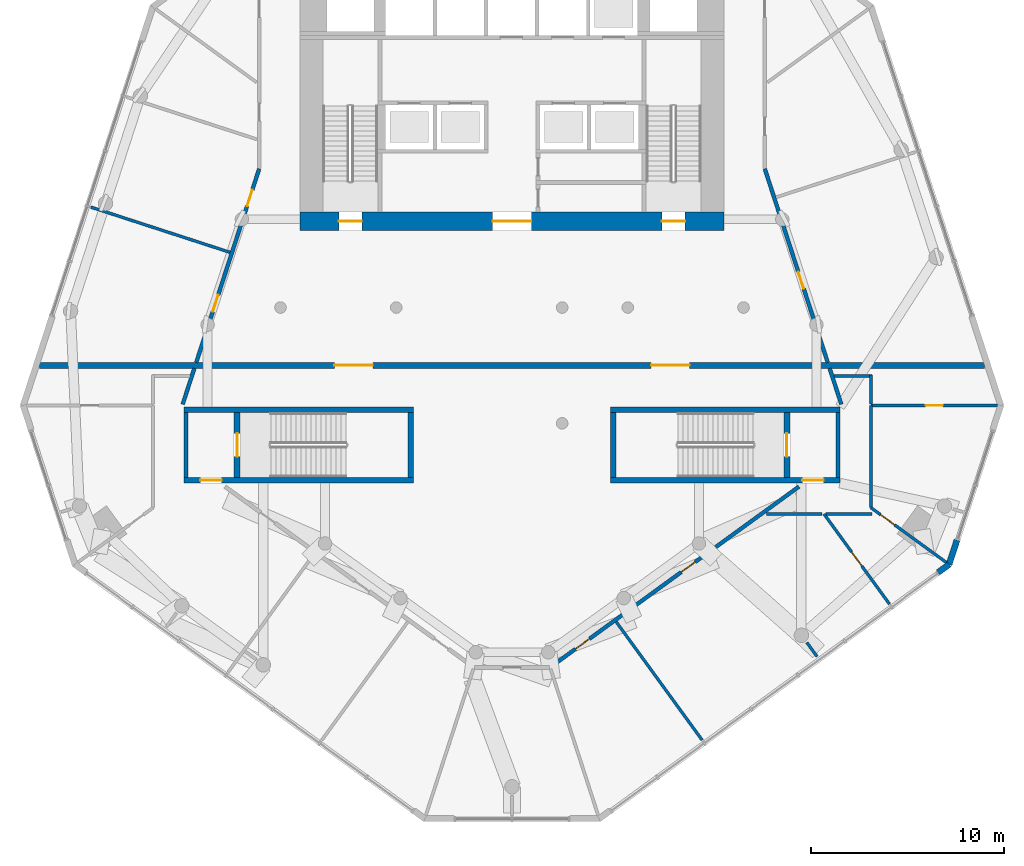
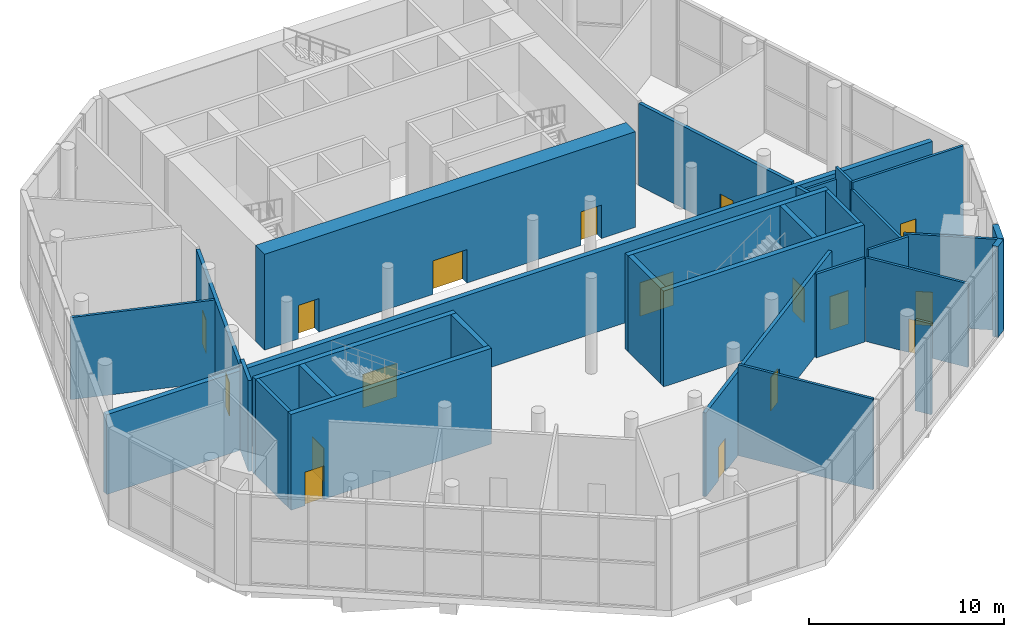
# One storey, part 8 of 14: 30 walls, 17 doors, 17 openings.
"""IFC4 building model written with IfcOpenShell, lengths in metres."""

from ifc_helpers import new_model, si_unit, direction, frame, frame_2d, origin, place, context, subcontext, project, spatial, rectangle, extrude, material, layer, layer_set, type_object, element, fill, save


model = new_model("IFC4")

# Units and contexts
model_context = context("Model", 3, precision=1e-05, world=origin(), true_north=direction((0.0, 1.0)))
body_context = subcontext(model_context, "Body", "Model", "MODEL_VIEW")
ifc_project = project(units=[si_unit("LENGTHUNIT", "METRE"), si_unit("AREAUNIT", "SQUARE_METRE"), si_unit("VOLUMEUNIT", "CUBIC_METRE"), si_unit("PLANEANGLEUNIT", "RADIAN"), si_unit("MASSUNIT", "GRAM", prefix="KILO")], contexts=[model_context])

# Site, building, storey
site_placement = place(None, origin())
site = spatial("IfcSite", under=ifc_project, at=site_placement, CompositionType="ELEMENT")
building_placement = place(site_placement, origin())
building = spatial("IfcBuilding", under=site, at=building_placement, Name="White Candle Pilgrim Tower", CompositionType="ELEMENT")
storey_placement = place(building_placement, frame((0.0, 0.0, 142.60009765625)))
storey = spatial("IfcBuildingStorey", under=building, at=storey_placement, Name="L32", CompositionType="ELEMENT", Elevation=142.60009765625)

# Walls
ifc_material_1 = material(Name="Concrete C60/75", Category="concrete")
ifc_layer_1 = layer(ifc_material_1, 0.199951171875)
ifc_layer_set_1 = layer_set([ifc_layer_1], Name="Core wall 200 mm Concrete C60/75")
wall_type_1 = type_object("IfcWallType", Name="Core wall 200 mm Concrete C60/75", PredefinedType="SHEAR", material=ifc_layer_set_1)
for number, where, z_axis, x_axis, name in (
    (1, (53.10009765625, 58.199951171875, 0.0), (0.0, 0.0, 1.0), (0.0, 1.0, 0.0), "WL-L32-C03"),
    (2, (86.89990234375, 58.199951171875, 0.0), (0.0, 0.0, 1.0), (0.0, 1.0, 0.0), "WL-L32-C08"),
):
    element("IfcWall", number, at=place(storey_placement, frame(where, z_axis=z_axis, x_axis=x_axis)), inside=storey, type_object=wall_type_1, Name=name, PredefinedType="SHEAR", context=body_context, shape_type="SweptSolid", body=[
        extrude(rectangle(XDim=3.35009765625, YDim=0.199951171875, at=frame_2d((1.675048828125, 0.0))), origin(), (0.0, 0.0, 1.0), 6.0),
    ])

# Wall, opening, door
ifc_material_2 = material(Name="Gypsum board on steel studs", Category="steel")
ifc_layer_2 = layer(ifc_material_2, 0.199951171875)
ifc_layer_set_2 = layer_set([ifc_layer_2], Name="Corridor wall 200 mm EI 45")
wall_type_2 = type_object("IfcWallType", Name="Corridor wall 200 mm EI 45", PredefinedType="PARTITIONING", material=ifc_layer_set_2)
wall_1_placement = place(storey_placement, frame((83.10498046875, 74.187255859375, 0.0), z_axis=(0.0, 0.0, 1.0), x_axis=(0.309008133723, -0.95105939525, 0.0)))
wall_1 = element("IfcWall", 3, at=wall_1_placement, inside=storey, type_object=wall_type_2, Name="WL-L32-P004", PredefinedType="PARTITIONING", context=body_context, shape_type="SweptSolid", body=[
    extrude(rectangle(XDim=10.553955078125, YDim=0.199951171875, at=frame_2d((5.27685546875, 0.0))), origin(), (0.0, 0.0, 1.0), 5.14990234375),
])
opening_1_placement = place(wall_1_placement, frame((5.61767578125, 0.0, 0.0)))
opening_1 = element("IfcOpeningElement", 4, at=opening_1_placement, cuts=wall_1, Name="Opening L32-111", PredefinedType="OPENING", context=body_context, shape_type="SweptSolid", body=[
    extrude(rectangle(XDim=0.89990234375, YDim=2.10009765625, at=frame_2d((0.449951171875, 1.050048828125))), frame((0.0, 0.10986328125, 0.0), z_axis=(0.0, -1.0, 0.0), x_axis=(1.0, 0.0, 0.0)), (0.0, 0.0, 1.0), 0.219970703125),
])
ifc_material_3 = material(Name="Steel door leaf", Category="steel")
door_type_1 = type_object("IfcDoorType", Name="Fire door 900 x 2100 EI 30", OperationType="NOTDEFINED", PredefinedType="DOOR", material=ifc_material_3)
door_1_placement = place(opening_1_placement, origin())
door_1 = element("IfcDoor", 5, at=door_1_placement, inside=storey, type_object=door_type_1, Name="Door L32-111", OperationType="SINGLE_SWING_LEFT", OverallHeight=2.10009765625, OverallWidth=0.89990234375, PredefinedType="DOOR", context=body_context, shape_type="SweptSolid", body=[
    extrude(rectangle(XDim=0.89990234375, YDim=2.10009765625, at=frame_2d((0.449951171875, 1.050048828125))), frame((0.0, 0.02490234375, 0.0), z_axis=(0.0, -1.0, 0.0), x_axis=(1.0, 0.0, 0.0)), (0.0, 0.0, 1.0), 0.050048828125),
])
fill(opening_1, door_1)

# Wall
wall_2_placement = place(storey_placement, frame((86.463623046875, 63.85009765625, 0.0), z_axis=(0.0, 0.0, 1.0), x_axis=(0.308951238916, -0.951077879026, 0.0)))
element("IfcWall", 6, at=wall_2_placement, inside=storey, type_object=wall_type_2, Name="WL-L32-P005", PredefinedType="PARTITIONING", context=body_context, shape_type="SweptSolid", body=[
    extrude(rectangle(XDim=1.96533203125, YDim=0.199951171875, at=frame_2d((0.982666015625, 0.0))), origin(), (0.0, 0.0, 1.0), 5.0),
])

# Wall, openings, doors
wall_3_placement = place(storey_placement, frame((84.87451171875, 57.718994140625, 0.0), z_axis=(0.0, 0.0, 1.0), x_axis=(-0.80902196565, -0.587778409858, 0.0)))
wall_3 = element("IfcWall", 7, at=wall_3_placement, inside=storey, type_object=wall_type_2, Name="WL-L32-P006", PredefinedType="PARTITIONING", context=body_context, shape_type="SweptSolid", body=[
    extrude(rectangle(XDim=15.911376953125, YDim=0.199951171875, at=frame_2d((7.95556640625, 0.0))), origin(), (0.0, 0.0, 1.0), 5.25),
])
opening_2_placement = place(wall_3_placement, frame((13.414306640625, 0.0, 0.0)))
opening_2 = element("IfcOpeningElement", 8, at=opening_2_placement, cuts=wall_3, Name="Opening L32-109", PredefinedType="OPENING", context=body_context, shape_type="SweptSolid", body=[
    extrude(rectangle(XDim=0.89990234375, YDim=2.10009765625, at=frame_2d((0.449951171875, 1.050048828125))), frame((0.0, 0.10986328125, 0.0), z_axis=(0.0, -1.0, 0.0), x_axis=(1.0, 0.0, 0.0)), (0.0, 0.0, 1.0), 0.219970703125),
])
opening_3_placement = place(wall_3_placement, frame((6.6494140625, 0.0, 0.0)))
opening_3 = element("IfcOpeningElement", 9, at=opening_3_placement, cuts=wall_3, Name="Opening L32-110", PredefinedType="OPENING", context=body_context, shape_type="SweptSolid", body=[
    extrude(rectangle(XDim=0.89990234375, YDim=2.10009765625, at=frame_2d((0.449951171875, 1.050048828125))), frame((0.0, 0.10986328125, 0.0), z_axis=(0.0, -1.0, 0.0), x_axis=(1.0, 0.0, 0.0)), (0.0, 0.0, 1.0), 0.219970703125),
])
door_2_placement = place(opening_2_placement, origin())
door_2 = element("IfcDoor", 10, at=door_2_placement, inside=storey, type_object=door_type_1, Name="Door L32-109", OperationType="SINGLE_SWING_LEFT", OverallHeight=2.10009765625, OverallWidth=0.89990234375, PredefinedType="DOOR", context=body_context, shape_type="SweptSolid", body=[
    extrude(rectangle(XDim=0.89990234375, YDim=2.10009765625, at=frame_2d((0.449951171875, 1.050048828125))), frame((0.0, 0.02490234375, 0.0), z_axis=(0.0, -1.0, 0.0), x_axis=(1.0, 0.0, 0.0)), (0.0, 0.0, 1.0), 0.050048828125),
])
fill(opening_2, door_2)
door_3_placement = place(opening_3_placement, origin())
door_3 = element("IfcDoor", 11, at=door_3_placement, inside=storey, type_object=door_type_1, Name="Door L32-110", OperationType="SINGLE_SWING_RIGHT", OverallHeight=2.10009765625, OverallWidth=0.89990234375, PredefinedType="DOOR", context=body_context, shape_type="SweptSolid", body=[
    extrude(rectangle(XDim=0.89990234375, YDim=2.10009765625, at=frame_2d((0.449951171875, 1.050048828125))), frame((0.0, 0.02490234375, 0.0), z_axis=(0.0, -1.0, 0.0), x_axis=(1.0, 0.0, 0.0)), (0.0, 0.0, 1.0), 0.050048828125),
])
fill(opening_3, door_3)

# Wall
wall_4_placement = place(storey_placement, frame((52.92919921875, 61.98095703125, 0.0), z_axis=(0.0, 0.0, 1.0), x_axis=(0.308951238916, 0.951077879026, 0.0)))
element("IfcWall", 12, at=wall_4_placement, inside=storey, type_object=wall_type_2, Name="WL-L32-P009", PredefinedType="PARTITIONING", context=body_context, shape_type="SweptSolid", body=[
    extrude(rectangle(XDim=1.96533203125, YDim=0.199951171875, at=frame_2d((0.982666015625, 0.0))), origin(), (0.0, 0.0, 1.0), 5.699951171875),
])

# Wall, openings, doors
wall_5_placement = place(storey_placement, frame((53.6337890625, 64.14990234375, 0.0), z_axis=(0.0, 0.0, 1.0), x_axis=(0.309008133723, 0.95105939525, 0.0)))
wall_5 = element("IfcWall", 13, at=wall_5_placement, inside=storey, type_object=wall_type_2, Name="WL-L32-P010", PredefinedType="PARTITIONING", context=body_context, shape_type="SweptSolid", body=[
    extrude(rectangle(XDim=10.553955078125, YDim=0.199951171875, at=frame_2d((5.27685546875, 0.0))), origin(), (0.0, 0.0, 1.0), 5.14990234375),
])
opening_4_placement = place(wall_5_placement, frame((8.52099609375, 0.0, 0.0)))
opening_4 = element("IfcOpeningElement", 14, at=opening_4_placement, cuts=wall_5, Name="Opening L32-103", PredefinedType="OPENING", context=body_context, shape_type="SweptSolid", body=[
    extrude(rectangle(XDim=0.89990234375, YDim=2.10009765625, at=frame_2d((0.449951171875, 1.050048828125))), frame((0.0, 0.10986328125, 0.0), z_axis=(0.0, -1.0, 0.0), x_axis=(1.0, 0.0, 0.0)), (0.0, 0.0, 1.0), 0.219970703125),
])
opening_5_placement = place(wall_5_placement, frame((2.7861328125, 0.0, 0.0)))
opening_5 = element("IfcOpeningElement", 15, at=opening_5_placement, cuts=wall_5, Name="Opening L32-104", PredefinedType="OPENING", context=body_context, shape_type="SweptSolid", body=[
    extrude(rectangle(XDim=0.89990234375, YDim=2.10009765625, at=frame_2d((0.449951171875, 1.050048828125))), frame((0.0, 0.10986328125, 0.0), z_axis=(0.0, -1.0, 0.0), x_axis=(1.0, 0.0, 0.0)), (0.0, 0.0, 1.0), 0.219970703125),
])
door_4_placement = place(opening_4_placement, origin())
door_4 = element("IfcDoor", 16, at=door_4_placement, inside=storey, type_object=door_type_1, Name="Door L32-103", OperationType="SINGLE_SWING_LEFT", OverallHeight=2.10009765625, OverallWidth=0.89990234375, PredefinedType="DOOR", context=body_context, shape_type="SweptSolid", body=[
    extrude(rectangle(XDim=0.89990234375, YDim=2.10009765625, at=frame_2d((0.449951171875, 1.050048828125))), frame((0.0, 0.02490234375, 0.0), z_axis=(0.0, -1.0, 0.0), x_axis=(1.0, 0.0, 0.0)), (0.0, 0.0, 1.0), 0.050048828125),
])
fill(opening_4, door_4)
door_5_placement = place(opening_5_placement, origin())
door_5 = element("IfcDoor", 17, at=door_5_placement, inside=storey, type_object=door_type_1, Name="Door L32-104", OperationType="SINGLE_SWING_RIGHT", OverallHeight=2.10009765625, OverallWidth=0.89990234375, PredefinedType="DOOR", context=body_context, shape_type="SweptSolid", body=[
    extrude(rectangle(XDim=0.89990234375, YDim=2.10009765625, at=frame_2d((0.449951171875, 1.050048828125))), frame((0.0, 0.02490234375, 0.0), z_axis=(0.0, -1.0, 0.0), x_axis=(1.0, 0.0, 0.0)), (0.0, 0.0, 1.0), 0.050048828125),
])
fill(opening_5, door_5)

# Walls
ifc_material_4 = material(Name="Precast concrete C40/50", Category="concrete")
ifc_layer_3 = layer(ifc_material_4, 0.320068359375)
ifc_layer_set_3 = layer_set([ifc_layer_3], Name="Facade wall EW1 precast concrete C40/50 pier wall with timber-lined reveals")
wall_type_3 = type_object("IfcWallType", Name="Facade wall EW1 precast concrete C40/50 pier wall with timber-lined reveals", PredefinedType="SOLIDWALL", material=ifc_layer_set_3)
wall_6_placement = place(storey_placement, frame((92.084228515625, 53.266357421875, 0.0), z_axis=(0.0, 0.0, 1.0), x_axis=(0.809064470568, 0.587719901369, 0.0)))
element("IfcWall", 18, at=wall_6_placement, inside=storey, type_object=wall_type_3, Name="Facade wall L32 SE", PredefinedType="SOLIDWALL", context=body_context, shape_type="SweptSolid", body=[
    extrude(rectangle(XDim=0.70703125, YDim=0.320068359375, at=frame_2d((0.353515625, 0.0))), origin(), (0.0, 0.0, 1.0), 5.699951171875),
])
wall_7_placement = place(storey_placement, frame((92.65625, 53.681884765625, 0.0), z_axis=(0.0, 0.0, 1.0), x_axis=(0.308961761269, 0.951074460846, 0.0)))
element("IfcWall", 19, at=wall_7_placement, inside=storey, type_object=wall_type_3, Name="Facade wall L32 E chamfer", PredefinedType="SOLIDWALL", context=body_context, shape_type="SweptSolid", body=[
    extrude(rectangle(XDim=1.332275390625, YDim=0.320068359375, at=frame_2d((0.666015625, 0.0))), origin(), (0.0, 0.0, 1.0), 5.699951171875),
])

# Wall, openings, doors
ifc_material_5 = material(Name="Aerated concrete block", Category="concrete")
ifc_layer_4 = layer(ifc_material_5, 0.300048828125)
ifc_layer_set_4 = layer_set([ifc_layer_4], Name="Fire wall 300 mm REI 240")
wall_type_4 = type_object("IfcWallType", Name="Fire wall 300 mm REI 240", PredefinedType="PARTITIONING", material=ifc_layer_set_4)
wall_8_placement = place(storey_placement, frame((45.510009765625, 64.0, 0.0), z_axis=(0.0, 0.0, 1.0), x_axis=(1.0, 0.0, 0.0)))
wall_8 = element("IfcWall", 20, at=wall_8_placement, inside=storey, type_object=wall_type_4, Name="WL-L32-P001", PredefinedType="PARTITIONING", context=body_context, shape_type="SweptSolid", body=[
    extrude(rectangle(XDim=48.97998046875, YDim=0.300048828125, at=frame_2d((24.489990234375, 0.0))), origin(), (0.0, 0.0, 1.0), 5.0),
])
opening_6_placement = place(wall_8_placement, frame((15.28271484375, 0.0, 0.0)))
opening_6 = element("IfcOpeningElement", 21, at=opening_6_placement, cuts=wall_8, Name="Opening L32-114", PredefinedType="OPENING", context=body_context, shape_type="SweptSolid", body=[
    extrude(rectangle(XDim=2.0, YDim=2.10009765625, at=frame_2d((1.0, 1.050048828125))), frame((0.0, 0.159912109375, 0.0), z_axis=(0.0, -1.0, 0.0), x_axis=(1.0, 0.0, 0.0)), (0.0, 0.0, 1.0), 0.320068359375),
])
opening_7_placement = place(wall_8_placement, frame((31.697509765625, 0.0, 0.0)))
opening_7 = element("IfcOpeningElement", 22, at=opening_7_placement, cuts=wall_8, Name="Opening L32-115", PredefinedType="OPENING", context=body_context, shape_type="SweptSolid", body=[
    extrude(rectangle(XDim=2.0, YDim=2.10009765625, at=frame_2d((1.0, 1.050048828125))), frame((0.0, 0.159912109375, 0.0), z_axis=(0.0, -1.0, 0.0), x_axis=(1.0, 0.0, 0.0)), (0.0, 0.0, 1.0), 0.320068359375),
])
door_type_2 = type_object("IfcDoorType", Name="Fire door 2000 x 2100 EI 60", OperationType="NOTDEFINED", PredefinedType="DOOR", material=ifc_material_3)
door_6_placement = place(opening_6_placement, origin())
door_6 = element("IfcDoor", 23, at=door_6_placement, inside=storey, type_object=door_type_2, Name="Door L32-114", OperationType="DOUBLE_DOOR_SINGLE_SWING", OverallHeight=2.10009765625, OverallWidth=2.0, PredefinedType="DOOR", context=body_context, shape_type="SweptSolid", body=[
    extrude(rectangle(XDim=2.0, YDim=2.10009765625, at=frame_2d((1.0, 1.050048828125))), frame((0.0, 0.02490234375, 0.0), z_axis=(0.0, -1.0, 0.0), x_axis=(1.0, 0.0, 0.0)), (0.0, 0.0, 1.0), 0.050048828125),
])
fill(opening_6, door_6)
door_7_placement = place(opening_7_placement, origin())
door_7 = element("IfcDoor", 24, at=door_7_placement, inside=storey, type_object=door_type_2, Name="Door L32-115", OperationType="DOUBLE_DOOR_SINGLE_SWING", OverallHeight=2.10009765625, OverallWidth=2.0, PredefinedType="DOOR", context=body_context, shape_type="SweptSolid", body=[
    extrude(rectangle(XDim=2.0, YDim=2.10009765625, at=frame_2d((1.0, 1.050048828125))), frame((0.0, 0.02490234375, 0.0), z_axis=(0.0, -1.0, 0.0), x_axis=(1.0, 0.0, 0.0)), (0.0, 0.0, 1.0), 0.050048828125),
])
fill(opening_7, door_7)

# Wall, opening, door
ifc_layer_5 = layer(ifc_material_2, 0.14990234375)
ifc_layer_set_5 = layer_set([ifc_layer_5], Name="Partition 150 mm EI 60")
wall_type_5 = type_object("IfcWallType", Name="Partition 150 mm EI 60", PredefinedType="PARTITIONING", material=ifc_layer_set_5)
wall_9_placement = place(storey_placement, frame((92.52001953125, 53.781005859375, 0.0), z_axis=(0.0, 0.0, 1.0), x_axis=(-0.809025783817, 0.587773154473, 0.0)))
wall_9 = element("IfcWall", 25, at=wall_9_placement, inside=storey, type_object=wall_type_5, Name="WL-L32-P016", PredefinedType="PARTITIONING", context=body_context, shape_type="SweptSolid", body=[
    extrude(rectangle(XDim=4.84521484375, YDim=0.14990234375, at=frame_2d((2.422607421875, 0.0))), origin(), (0.0, 0.0, 1.0), 5.699951171875),
])
opening_8_placement = place(wall_9_placement, frame((3.32275390625, 0.0, 0.0)))
opening_8 = element("IfcOpeningElement", 26, at=opening_8_placement, cuts=wall_9, Name="Opening L32-119", PredefinedType="OPENING", context=body_context, shape_type="SweptSolid", body=[
    extrude(rectangle(XDim=0.89990234375, YDim=2.10009765625, at=frame_2d((0.449951171875, 1.050048828125))), frame((0.0, 0.0849609375, 0.0), z_axis=(0.0, -1.0, 0.0), x_axis=(1.0, 0.0, 0.0)), (0.0, 0.0, 1.0), 0.169921875),
])
door_8_placement = place(opening_8_placement, frame((0.89990234375, 0.0, 0.0), z_axis=(0.0, 0.0, 1.0), x_axis=(-1.0, 0.0, 0.0)))
door_8 = element("IfcDoor", 27, at=door_8_placement, inside=storey, type_object=door_type_1, Name="Door L32-119", OperationType="SINGLE_SWING_RIGHT", OverallHeight=2.10009765625, OverallWidth=0.89990234375, PredefinedType="DOOR", context=body_context, shape_type="SweptSolid", body=[
    extrude(rectangle(XDim=0.89990234375, YDim=2.10009765625, at=frame_2d((0.449951171875, 1.050048828125))), frame((0.0, 0.02490234375, 0.0), z_axis=(0.0, -1.0, 0.0), x_axis=(1.0, 0.0, 0.0)), (0.0, 0.0, 1.0), 0.050048828125),
])
fill(opening_8, door_8)

wall_10_placement = place(storey_placement, frame((95.165283203125, 61.922119140625, 0.0), z_axis=(0.0, 0.0, 1.0), x_axis=(-1.0, 0.0, 0.0)))
wall_10 = element("IfcWall", 28, at=wall_10_placement, inside=storey, type_object=wall_type_5, Name="WL-L32-P017", PredefinedType="PARTITIONING", context=body_context, shape_type="SweptSolid", body=[
    extrude(rectangle(XDim=6.565185546875, YDim=0.14990234375, at=frame_2d((3.28271484375, 0.0))), origin(), (0.0, 0.0, 1.0), 5.699951171875),
])
opening_9_placement = place(wall_10_placement, frame((2.826171875, 0.0, 0.0)))
opening_9 = element("IfcOpeningElement", 29, at=opening_9_placement, cuts=wall_10, Name="Opening L32-120", PredefinedType="OPENING", context=body_context, shape_type="SweptSolid", body=[
    extrude(rectangle(XDim=0.89990234375, YDim=2.10009765625, at=frame_2d((0.449951171875, 1.050048828125))), frame((0.0, 0.0849609375, 0.0), z_axis=(0.0, -1.0, 0.0), x_axis=(1.0, 0.0, 0.0)), (0.0, 0.0, 1.0), 0.169921875),
])
door_9_placement = place(opening_9_placement, frame((0.89990234375, 0.0, 0.0), z_axis=(0.0, 0.0, 1.0), x_axis=(-1.0, 0.0, 0.0)))
door_9 = element("IfcDoor", 30, at=door_9_placement, inside=storey, type_object=door_type_1, Name="Door L32-120", OperationType="SINGLE_SWING_LEFT", OverallHeight=2.10009765625, OverallWidth=0.89990234375, PredefinedType="DOOR", context=body_context, shape_type="SweptSolid", body=[
    extrude(rectangle(XDim=0.89990234375, YDim=2.10009765625, at=frame_2d((0.449951171875, 1.050048828125))), frame((0.0, 0.02490234375, 0.0), z_axis=(0.0, -1.0, 0.0), x_axis=(1.0, 0.0, 0.0)), (0.0, 0.0, 1.0), 0.050048828125),
])
fill(opening_9, door_9)

# Walls
wall_11_placement = place(storey_placement, frame((48.17529296875, 72.203125, 0.0), z_axis=(0.0, 0.0, 1.0), x_axis=(0.951058681979, -0.309010329007, 0.0)))
element("IfcWall", 31, at=wall_11_placement, inside=storey, type_object=wall_type_5, Name="WL-L32-P020", PredefinedType="PARTITIONING", context=body_context, shape_type="SweptSolid", body=[
    extrude(rectangle(XDim=7.580078125, YDim=0.14990234375, at=frame_2d((3.7900390625, 0.0))), origin(), (0.0, 0.0, 1.0), 5.14990234375),
])
wall_12_placement = place(storey_placement, frame((79.85498046875, 44.5791015625, 0.0), z_axis=(0.0, 0.0, 1.0), x_axis=(-0.587800109381, 0.80900619986, 0.0)))
element("IfcWall", 32, at=wall_12_placement, inside=storey, type_object=wall_type_5, Name="WL-L32-P023", PredefinedType="PARTITIONING", context=body_context, shape_type="SweptSolid", body=[
    extrude(rectangle(XDim=7.580078125, YDim=0.14990234375, at=frame_2d((3.7900390625, 0.0))), origin(), (0.0, 0.0, 1.0), 5.699951171875),
])

# Wall, opening, door
wall_13_placement = place(storey_placement, frame((89.563232421875, 51.632568359375, 0.0), z_axis=(0.0, 0.0, 1.0), x_axis=(-0.58778414302, 0.809017800307, 0.0)))
wall_13 = element("IfcWall", 33, at=wall_13_placement, inside=storey, type_object=wall_type_5, Name="WL-L32-P024", PredefinedType="PARTITIONING", context=body_context, shape_type="SweptSolid", body=[
    extrude(rectangle(XDim=5.769287109375, YDim=0.14990234375, at=frame_2d((2.884765625, 0.0))), origin(), (0.0, 0.0, 1.0), 5.25),
])
opening_10_placement = place(wall_13_placement, frame((2.434814453125, 0.0, 0.0)))
opening_10 = element("IfcOpeningElement", 34, at=opening_10_placement, cuts=wall_13, Name="Opening L32-118", PredefinedType="OPENING", context=body_context, shape_type="SweptSolid", body=[
    extrude(rectangle(XDim=0.89990234375, YDim=2.10009765625, at=frame_2d((0.449951171875, 1.050048828125))), frame((0.0, 0.0849609375, 0.0), z_axis=(0.0, -1.0, 0.0), x_axis=(1.0, 0.0, 0.0)), (0.0, 0.0, 1.0), 0.169921875),
])
door_10_placement = place(opening_10_placement, frame((0.89990234375, 0.0, 0.0), z_axis=(0.0, 0.0, 1.0), x_axis=(-1.0, 0.0, 0.0)))
door_10 = element("IfcDoor", 35, at=door_10_placement, inside=storey, type_object=door_type_1, Name="Door L32-118", OperationType="SINGLE_SWING_LEFT", OverallHeight=2.10009765625, OverallWidth=0.89990234375, PredefinedType="DOOR", context=body_context, shape_type="SweptSolid", body=[
    extrude(rectangle(XDim=0.89990234375, YDim=2.10009765625, at=frame_2d((0.449951171875, 1.050048828125))), frame((0.0, 0.02490234375, 0.0), z_axis=(0.0, -1.0, 0.0), x_axis=(1.0, 0.0, 0.0)), (0.0, 0.0, 1.0), 0.050048828125),
])
fill(opening_10, door_10)

# Walls
wall_14_placement = place(storey_placement, frame((85.28076171875, 49.639404296875, 0.0), z_axis=(0.0, 0.0, 1.0), x_axis=(0.587882774267, -0.808946131532, 0.0)))
element("IfcWall", 36, at=wall_14_placement, inside=storey, type_object=wall_type_5, Name="WL-L32-P030", PredefinedType="PARTITIONING", context=body_context, shape_type="SweptSolid", body=[
    extrude(rectangle(XDim=0.904541015625, YDim=0.14990234375, at=frame_2d((0.4521484375, 0.0))), origin(), (0.0, 0.0, 1.0), 5.699951171875),
])
wall_15_placement = place(storey_placement, frame((88.60009765625, 61.9970703125, 0.0), z_axis=(0.0, 0.0, 1.0), x_axis=(0.0, 1.0, 0.0)))
element("IfcWall", 37, at=wall_15_placement, inside=storey, type_object=wall_type_5, Name="WL-L32-P035", PredefinedType="PARTITIONING", context=body_context, shape_type="SweptSolid", body=[
    extrude(rectangle(XDim=1.512939453125, YDim=0.14990234375, at=frame_2d((0.75634765625, 0.0))), origin(), (0.0, 0.0, 1.0), 5.699951171875),
])
wall_16_placement = place(storey_placement, frame((88.659912109375, 63.449951171875, 0.0), z_axis=(0.0, 0.0, 1.0), x_axis=(-1.0, 0.0, 0.0)))
element("IfcWall", 38, at=wall_16_placement, inside=storey, type_object=wall_type_5, Name="WL-L32-P036", PredefinedType="PARTITIONING", context=body_context, shape_type="SweptSolid", body=[
    extrude(rectangle(XDim=1.9580078125, YDim=0.14990234375, at=frame_2d((0.97900390625, 0.0))), origin(), (0.0, 0.0, 1.0), 5.0),
])
wall_17_placement = place(storey_placement, frame((88.60009765625, 56.62890625, 0.0), z_axis=(0.0, 0.0, 1.0), x_axis=(0.0, 1.0, 0.0)))
element("IfcWall", 39, at=wall_17_placement, inside=storey, type_object=wall_type_5, Name="WL-L32-P037", PredefinedType="PARTITIONING", context=body_context, shape_type="SweptSolid", body=[
    extrude(rectangle(XDim=5.293212890625, YDim=0.14990234375, at=frame_2d((2.646484375, 0.0))), origin(), (0.0, 0.0, 1.0), 5.25),
])
wall_18_placement = place(storey_placement, frame((86.27880859375, 56.300048828125, 0.0), z_axis=(0.0, 0.0, 1.0), x_axis=(1.0, 0.0, 0.0)))
element("IfcWall", 40, at=wall_18_placement, inside=storey, type_object=wall_type_5, Name="WL-L32-P038", PredefinedType="PARTITIONING", context=body_context, shape_type="SweptSolid", body=[
    extrude(rectangle(XDim=2.381103515625, YDim=0.14990234375, at=frame_2d((1.1904296875, 0.0))), origin(), (0.0, 0.0, 1.0), 5.699951171875),
])
wall_19_placement = place(storey_placement, frame((83.193603515625, 56.300048828125, 0.0), z_axis=(0.0, 0.0, 1.0), x_axis=(1.0, 0.0, 0.0)))
element("IfcWall", 41, at=wall_19_placement, inside=storey, type_object=wall_type_5, Name="WL-L32-P039", PredefinedType="PARTITIONING", context=body_context, shape_type="SweptSolid", body=[
    extrude(rectangle(XDim=2.877197265625, YDim=0.14990234375, at=frame_2d((1.4384765625, 0.0))), origin(), (0.0, 0.0, 1.0), 5.25),
])

# Wall, opening, door
ifc_layer_6 = layer(ifc_material_1, 0.300048828125)
ifc_layer_set_6 = layer_set([ifc_layer_6], Name="Stair shaft wall 300 mm Concrete C60/75")
wall_type_6 = type_object("IfcWallType", Name="Stair shaft wall 300 mm Concrete C60/75", PredefinedType="SHEAR", material=ifc_layer_set_6)
wall_20_placement = place(storey_placement, frame((53.0, 58.050048828125, 0.0), z_axis=(0.0, 0.0, 1.0), x_axis=(1.0, 0.0, 0.0)))
wall_20 = element("IfcWall", 42, at=wall_20_placement, inside=storey, type_object=wall_type_6, Name="WL-L32-C01", PredefinedType="SHEAR", context=body_context, shape_type="SweptSolid", body=[
    extrude(rectangle(XDim=11.89990234375, YDim=0.300048828125, at=frame_2d((5.949951171875, 0.0))), origin(), (0.0, 0.0, 1.0), 6.0),
])
opening_11_placement = place(wall_20_placement, frame((0.85009765625, 0.0, 0.0)))
opening_11 = element("IfcOpeningElement", 43, at=opening_11_placement, cuts=wall_20, Name="Opening L32-009", PredefinedType="OPENING", context=body_context, shape_type="SweptSolid", body=[
    extrude(rectangle(XDim=1.10009765625, YDim=2.10009765625, at=frame_2d((0.550048828125, 1.050048828125))), frame((0.0, 0.159912109375, 0.0), z_axis=(0.0, -1.0, 0.0), x_axis=(1.0, 0.0, 0.0)), (0.0, 0.0, 1.0), 0.320068359375),
])
door_type_3 = type_object("IfcDoorType", Name="Fire door 1100 x 2100 EI 60", OperationType="NOTDEFINED", PredefinedType="DOOR", material=ifc_material_3)
door_11_placement = place(opening_11_placement, origin())
door_11 = element("IfcDoor", 44, at=door_11_placement, inside=storey, type_object=door_type_3, Name="Door L32-009", OperationType="SINGLE_SWING_LEFT", OverallHeight=2.10009765625, OverallWidth=1.10009765625, PredefinedType="DOOR", context=body_context, shape_type="SweptSolid", body=[
    extrude(rectangle(XDim=1.10009765625, YDim=2.10009765625, at=frame_2d((0.550048828125, 1.050048828125))), frame((0.0, 0.02490234375, 0.0), z_axis=(0.0, -1.0, 0.0), x_axis=(1.0, 0.0, 0.0)), (0.0, 0.0, 1.0), 0.050048828125),
])
fill(opening_11, door_11)

wall_21_placement = place(storey_placement, frame((75.10009765625, 58.050048828125, 0.0), z_axis=(0.0, 0.0, 1.0), x_axis=(1.0, 0.0, 0.0)))
wall_21 = element("IfcWall", 45, at=wall_21_placement, inside=storey, type_object=wall_type_6, Name="WL-L32-C02", PredefinedType="SHEAR", context=body_context, shape_type="SweptSolid", body=[
    extrude(rectangle(XDim=11.89990234375, YDim=0.300048828125, at=frame_2d((5.949951171875, 0.0))), origin(), (0.0, 0.0, 1.0), 6.0),
])
opening_12_placement = place(wall_21_placement, frame((9.949951171875, 0.0, 0.0)))
opening_12 = element("IfcOpeningElement", 46, at=opening_12_placement, cuts=wall_21, Name="Opening L32-011", PredefinedType="OPENING", context=body_context, shape_type="SweptSolid", body=[
    extrude(rectangle(XDim=1.10009765625, YDim=2.10009765625, at=frame_2d((0.550048828125, 1.050048828125))), frame((0.0, 0.159912109375, 0.0), z_axis=(0.0, -1.0, 0.0), x_axis=(1.0, 0.0, 0.0)), (0.0, 0.0, 1.0), 0.320068359375),
])
door_12_placement = place(opening_12_placement, origin())
door_12 = element("IfcDoor", 47, at=door_12_placement, inside=storey, type_object=door_type_3, Name="Door L32-011", OperationType="SINGLE_SWING_LEFT", OverallHeight=2.10009765625, OverallWidth=1.10009765625, PredefinedType="DOOR", context=body_context, shape_type="SweptSolid", body=[
    extrude(rectangle(XDim=1.10009765625, YDim=2.10009765625, at=frame_2d((0.550048828125, 1.050048828125))), frame((0.0, 0.02490234375, 0.0), z_axis=(0.0, -1.0, 0.0), x_axis=(1.0, 0.0, 0.0)), (0.0, 0.0, 1.0), 0.050048828125),
])
fill(opening_12, door_12)

wall_22_placement = place(storey_placement, frame((55.75, 58.199951171875, 0.0), z_axis=(0.0, 0.0, 1.0), x_axis=(0.0, 1.0, 0.0)))
wall_22 = element("IfcWall", 48, at=wall_22_placement, inside=storey, type_object=wall_type_6, Name="WL-L32-C04", PredefinedType="SHEAR", context=body_context, shape_type="SweptSolid", body=[
    extrude(rectangle(XDim=3.35009765625, YDim=0.300048828125, at=frame_2d((1.675048828125, 0.0))), origin(), (0.0, 0.0, 1.0), 6.0),
])
opening_13_placement = place(wall_22_placement, frame((1.074951171875, 0.0, 0.0)))
opening_13 = element("IfcOpeningElement", 49, at=opening_13_placement, cuts=wall_22, Name="Opening L32-010", PredefinedType="OPENING", context=body_context, shape_type="SweptSolid", body=[
    extrude(rectangle(XDim=1.199951171875, YDim=2.10009765625, at=frame_2d((0.60009765625, 1.050048828125))), frame((0.0, 0.159912109375, 0.0), z_axis=(0.0, -1.0, 0.0), x_axis=(1.0, 0.0, 0.0)), (0.0, 0.0, 1.0), 0.320068359375),
])
door_type_4 = type_object("IfcDoorType", Name="Fire door 1200 x 2100 EI 60", OperationType="NOTDEFINED", PredefinedType="DOOR", material=ifc_material_3)
door_13_placement = place(opening_13_placement, frame((1.199951171875, 0.0, 0.0), z_axis=(0.0, 0.0, 1.0), x_axis=(-1.0, 0.0, 0.0)))
door_13 = element("IfcDoor", 50, at=door_13_placement, inside=storey, type_object=door_type_4, Name="Door L32-010", OperationType="SINGLE_SWING_LEFT", OverallHeight=2.10009765625, OverallWidth=1.199951171875, PredefinedType="DOOR", context=body_context, shape_type="SweptSolid", body=[
    extrude(rectangle(XDim=1.199951171875, YDim=2.10009765625, at=frame_2d((0.60009765625, 1.050048828125))), frame((0.0, 0.02490234375, 0.0), z_axis=(0.0, -1.0, 0.0), x_axis=(1.0, 0.0, 0.0)), (0.0, 0.0, 1.0), 0.050048828125),
])
fill(opening_13, door_13)

# Walls
for number, where, z_axis, x_axis, name in (
    (51, (64.75, 58.199951171875, 0.0), (0.0, 0.0, 1.0), (0.0, 1.0, 0.0), "WL-L32-C05"),
    (52, (75.25, 58.199951171875, 0.0), (0.0, 0.0, 1.0), (0.0, 1.0, 0.0), "WL-L32-C06"),
):
    element("IfcWall", number, at=place(storey_placement, frame(where, z_axis=z_axis, x_axis=x_axis)), inside=storey, type_object=wall_type_6, Name=name, PredefinedType="SHEAR", context=body_context, shape_type="SweptSolid", body=[
        extrude(rectangle(XDim=3.35009765625, YDim=0.300048828125, at=frame_2d((1.675048828125, 0.0))), origin(), (0.0, 0.0, 1.0), 6.0),
    ])

# Wall, opening, door
wall_23_placement = place(storey_placement, frame((84.25, 58.199951171875, 0.0), z_axis=(0.0, 0.0, 1.0), x_axis=(0.0, 1.0, 0.0)))
wall_23 = element("IfcWall", 53, at=wall_23_placement, inside=storey, type_object=wall_type_6, Name="WL-L32-C07", PredefinedType="SHEAR", context=body_context, shape_type="SweptSolid", body=[
    extrude(rectangle(XDim=3.35009765625, YDim=0.300048828125, at=frame_2d((1.675048828125, 0.0))), origin(), (0.0, 0.0, 1.0), 6.0),
])
opening_14_placement = place(wall_23_placement, frame((1.074951171875, 0.0, 0.0)))
opening_14 = element("IfcOpeningElement", 54, at=opening_14_placement, cuts=wall_23, Name="Opening L32-012", PredefinedType="OPENING", context=body_context, shape_type="SweptSolid", body=[
    extrude(rectangle(XDim=1.199951171875, YDim=2.10009765625, at=frame_2d((0.60009765625, 1.050048828125))), frame((0.0, 0.159912109375, 0.0), z_axis=(0.0, -1.0, 0.0), x_axis=(1.0, 0.0, 0.0)), (0.0, 0.0, 1.0), 0.320068359375),
])
door_14_placement = place(opening_14_placement, origin())
door_14 = element("IfcDoor", 55, at=door_14_placement, inside=storey, type_object=door_type_4, Name="Door L32-012", OperationType="SINGLE_SWING_RIGHT", OverallHeight=2.10009765625, OverallWidth=1.199951171875, PredefinedType="DOOR", context=body_context, shape_type="SweptSolid", body=[
    extrude(rectangle(XDim=1.199951171875, YDim=2.10009765625, at=frame_2d((0.60009765625, 1.050048828125))), frame((0.0, 0.02490234375, 0.0), z_axis=(0.0, -1.0, 0.0), x_axis=(1.0, 0.0, 0.0)), (0.0, 0.0, 1.0), 0.050048828125),
])
fill(opening_14, door_14)

# Walls
for number, where, z_axis, x_axis, name in (
    (56, (53.0, 61.699951171875, 0.0), (0.0, 0.0, 1.0), (1.0, 0.0, 0.0), "WL-L32-C09"),
    (57, (75.10009765625, 61.699951171875, 0.0), (0.0, 0.0, 1.0), (1.0, 0.0, 0.0), "WL-L32-C10"),
):
    element("IfcWall", number, at=place(storey_placement, frame(where, z_axis=z_axis, x_axis=x_axis)), inside=storey, type_object=wall_type_6, Name=name, PredefinedType="SHEAR", context=body_context, shape_type="SweptSolid", body=[
        extrude(rectangle(XDim=11.89990234375, YDim=0.300048828125, at=frame_2d((5.949951171875, 0.0))), origin(), (0.0, 0.0, 1.0), 6.0),
    ])

# Wall, openings, doors
ifc_layer_7 = layer(ifc_material_1, 0.949951171875)
ifc_layer_set_7 = layer_set([ifc_layer_7], Name="Stair shaft wall 950 mm Concrete C60/75")
wall_type_7 = type_object("IfcWallType", Name="Stair shaft wall 950 mm Concrete C60/75", PredefinedType="SHEAR", material=ifc_layer_set_7)
wall_24_placement = place(storey_placement, frame((59.0, 71.47509765625, 0.0), z_axis=(0.0, 0.0, 1.0), x_axis=(1.0, 0.0, 0.0)))
wall_24 = element("IfcWall", 58, at=wall_24_placement, inside=storey, type_object=wall_type_7, Name="WL-L32-C11", PredefinedType="SHEAR", context=body_context, shape_type="SweptSolid", body=[
    extrude(rectangle(XDim=22.0, YDim=0.949951171875, at=frame_2d((11.0, 0.0))), origin(), (0.0, 0.0, 1.0), 6.0),
])
opening_15_placement = place(wall_24_placement, frame((2.02490234375, 0.0, 0.0)))
opening_15 = element("IfcOpeningElement", 59, at=opening_15_placement, cuts=wall_24, Name="Opening L32-001", PredefinedType="OPENING", context=body_context, shape_type="SweptSolid", body=[
    extrude(rectangle(XDim=1.199951171875, YDim=2.10009765625, at=frame_2d((0.60009765625, 1.050048828125))), frame((0.0, 0.48486328125, 0.0), z_axis=(0.0, -1.0, 0.0), x_axis=(1.0, 0.0, 0.0)), (0.0, 0.0, 1.0), 0.969970703125),
])
opening_16_placement = place(wall_24_placement, frame((18.77490234375, 0.0, 0.0)))
opening_16 = element("IfcOpeningElement", 60, at=opening_16_placement, cuts=wall_24, Name="Opening L32-002", PredefinedType="OPENING", context=body_context, shape_type="SweptSolid", body=[
    extrude(rectangle(XDim=1.199951171875, YDim=2.10009765625, at=frame_2d((0.60009765625, 1.050048828125))), frame((0.0, 0.48486328125, 0.0), z_axis=(0.0, -1.0, 0.0), x_axis=(1.0, 0.0, 0.0)), (0.0, 0.0, 1.0), 0.969970703125),
])
opening_17_placement = place(wall_24_placement, frame((10.0, 0.0, 0.0)))
opening_17 = element("IfcOpeningElement", 61, at=opening_17_placement, cuts=wall_24, Name="Opening L32-004", PredefinedType="OPENING", context=body_context, shape_type="SweptSolid", body=[
    extrude(rectangle(XDim=2.0, YDim=2.10009765625, at=frame_2d((1.0, 1.050048828125))), frame((0.0, 0.48486328125, 0.0), z_axis=(0.0, -1.0, 0.0), x_axis=(1.0, 0.0, 0.0)), (0.0, 0.0, 1.0), 0.969970703125),
])
door_15_placement = place(opening_15_placement, frame((1.199951171875, 0.0, 0.0), z_axis=(0.0, 0.0, 1.0), x_axis=(-1.0, 0.0, 0.0)))
door_15 = element("IfcDoor", 62, at=door_15_placement, inside=storey, type_object=door_type_4, Name="Door L32-001", OperationType="SINGLE_SWING_RIGHT", OverallHeight=2.10009765625, OverallWidth=1.199951171875, PredefinedType="DOOR", context=body_context, shape_type="SweptSolid", body=[
    extrude(rectangle(XDim=1.199951171875, YDim=2.10009765625, at=frame_2d((0.60009765625, 1.050048828125))), frame((0.0, 0.02490234375, 0.0), z_axis=(0.0, -1.0, 0.0), x_axis=(1.0, 0.0, 0.0)), (0.0, 0.0, 1.0), 0.050048828125),
])
fill(opening_15, door_15)
door_16_placement = place(opening_16_placement, frame((1.199951171875, 0.0, 0.0), z_axis=(0.0, 0.0, 1.0), x_axis=(-1.0, 0.0, 0.0)))
door_16 = element("IfcDoor", 63, at=door_16_placement, inside=storey, type_object=door_type_4, Name="Door L32-002", OperationType="SINGLE_SWING_LEFT", OverallHeight=2.10009765625, OverallWidth=1.199951171875, PredefinedType="DOOR", context=body_context, shape_type="SweptSolid", body=[
    extrude(rectangle(XDim=1.199951171875, YDim=2.10009765625, at=frame_2d((0.60009765625, 1.050048828125))), frame((0.0, 0.02490234375, 0.0), z_axis=(0.0, -1.0, 0.0), x_axis=(1.0, 0.0, 0.0)), (0.0, 0.0, 1.0), 0.050048828125),
])
fill(opening_16, door_16)
door_17_placement = place(opening_17_placement, frame((2.0, 0.0, 0.0), z_axis=(0.0, 0.0, 1.0), x_axis=(-1.0, 0.0, 0.0)))
door_17 = element("IfcDoor", 64, at=door_17_placement, inside=storey, type_object=door_type_2, Name="Door L32-004", OperationType="DOUBLE_DOOR_SINGLE_SWING", OverallHeight=2.10009765625, OverallWidth=2.0, PredefinedType="DOOR", context=body_context, shape_type="SweptSolid", body=[
    extrude(rectangle(XDim=2.0, YDim=2.10009765625, at=frame_2d((1.0, 1.050048828125))), frame((0.0, 0.02490234375, 0.0), z_axis=(0.0, -1.0, 0.0), x_axis=(1.0, 0.0, 0.0)), (0.0, 0.0, 1.0), 0.050048828125),
])
fill(opening_17, door_17)

save(model, "model.ifc")
